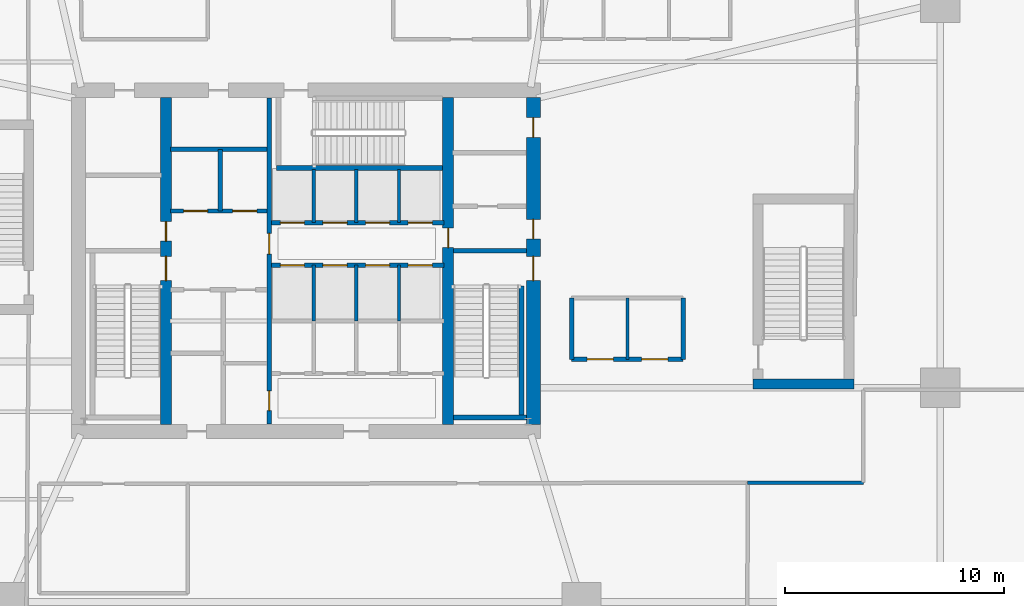
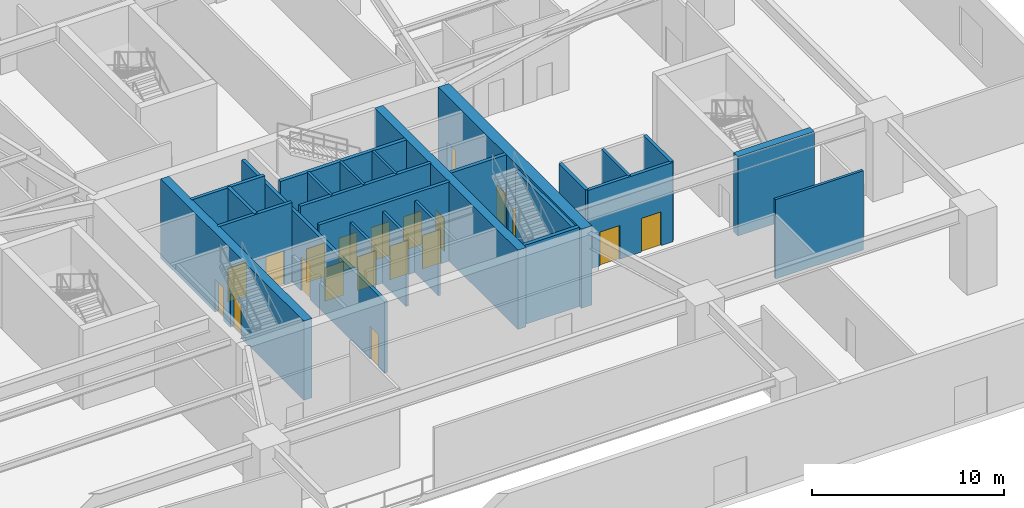
# One storey, part 6 of 13: 25 walls, 20 doors, 20 openings.
"""IFC4 building model written with IfcOpenShell, lengths in metres."""

from ifc_helpers import new_model, si_unit, direction, frame, frame_2d, origin, place, context, subcontext, project, spatial, rectangle, extrude, material, layer, layer_set, type_object, element, fill, save


model = new_model("IFC4")

# Units and contexts
model_context = context("Model", 3, precision=1e-05, world=origin(), true_north=direction((0.0, 1.0)))
body_context = subcontext(model_context, "Body", "Model", "MODEL_VIEW")
ifc_project = project(units=[si_unit("LENGTHUNIT", "METRE"), si_unit("AREAUNIT", "SQUARE_METRE"), si_unit("VOLUMEUNIT", "CUBIC_METRE"), si_unit("PLANEANGLEUNIT", "RADIAN"), si_unit("MASSUNIT", "GRAM", prefix="KILO")], contexts=[model_context])

# Site, building, storey
site_placement = place(None, origin())
site = spatial("IfcSite", under=ifc_project, at=site_placement, CompositionType="ELEMENT")
building_placement = place(site_placement, origin())
building = spatial("IfcBuilding", under=site, at=building_placement, Name="Qarnah Convention Tower", CompositionType="ELEMENT")
storey_placement = place(building_placement, origin())
storey = spatial("IfcBuildingStorey", under=building, at=storey_placement, Name="L00", CompositionType="ELEMENT", Elevation=0.0)

# Wall, openings, doors
ifc_material_1 = material(Name="Concrete C60/75", Category="concrete")
ifc_layer_1 = layer(ifc_material_1, 0.64990234375)
ifc_layer_set_1 = layer_set([ifc_layer_1], Name="Concrete C60/75")
wall_type_1 = type_object("IfcWallType", Name="WL-CORE-650", PredefinedType="SHEAR", material=ifc_layer_set_1)
wall_1_placement = place(storey_placement, frame((47.60009765625, 18.925048828125, 0.0), z_axis=(0.0, 0.0, 1.0), x_axis=(0.0, 1.0, 0.0)))
wall_1 = element("IfcWall", 1, at=wall_1_placement, inside=storey, type_object=wall_type_1, Name="L00 core east shear wall", PredefinedType="SHEAR", context=body_context, shape_type="SweptSolid", body=[
    extrude(rectangle(XDim=14.949951171875, YDim=0.64990234375, at=frame_2d((7.47509765625, 0.0))), origin(), (0.0, 0.0, 1.0), 5.050048828125),
])
opening_1_placement = place(wall_1_placement, frame((6.574951171875, 0.0, 0.0)))
opening_1 = element("IfcOpeningElement", 2, at=opening_1_placement, cuts=wall_1, Name="Opening D-0002", PredefinedType="OPENING", context=body_context, shape_type="SweptSolid", body=[
    extrude(rectangle(XDim=1.10009765625, YDim=2.14990234375, at=frame_2d((0.550048828125, 1.074951171875))), frame((0.0, 0.3349609375, 0.0), z_axis=(0.0, -1.0, 0.0), x_axis=(1.0, 0.0, 0.0)), (0.0, 0.0, 1.0), 0.669921875),
])
opening_2_placement = place(wall_1_placement, frame((8.47509765625, 0.0, 0.0)))
opening_2 = element("IfcOpeningElement", 3, at=opening_2_placement, cuts=wall_1, Name="Opening D-0006", PredefinedType="OPENING", context=body_context, shape_type="SweptSolid", body=[
    extrude(rectangle(XDim=0.89990234375, YDim=2.10009765625, at=frame_2d((0.449951171875, 1.050048828125))), frame((0.0, 0.3349609375, 0.0), z_axis=(0.0, -1.0, 0.0), x_axis=(1.0, 0.0, 0.0)), (0.0, 0.0, 1.0), 0.669921875),
])
opening_3_placement = place(wall_1_placement, frame((13.125, 0.0, 0.0)))
opening_3 = element("IfcOpeningElement", 4, at=opening_3_placement, cuts=wall_1, Name="Opening D-0012", PredefinedType="OPENING", context=body_context, shape_type="SweptSolid", body=[
    extrude(rectangle(XDim=0.89990234375, YDim=2.10009765625, at=frame_2d((0.449951171875, 1.050048828125))), frame((0.0, 0.3349609375, 0.0), z_axis=(0.0, -1.0, 0.0), x_axis=(1.0, 0.0, 0.0)), (0.0, 0.0, 1.0), 0.669921875),
])
ifc_material_2 = material(Name="Structural steel S355JR", Category="steel")
door_type_1 = type_object("IfcDoorType", Name="DT-RISER-900", OperationType="NOTDEFINED", PredefinedType="DOOR", material=ifc_material_2)
door_1_placement = place(opening_2_placement, origin())
door_1 = element("IfcDoor", 5, at=door_1_placement, inside=storey, type_object=door_type_1, Name="Door D-0006", OperationType="SINGLE_SWING_LEFT", OverallHeight=2.10009765625, OverallWidth=0.89990234375, PredefinedType="DOOR", context=body_context, shape_type="SweptSolid", body=[
    extrude(rectangle(XDim=0.89990234375, YDim=2.10009765625, at=frame_2d((0.449951171875, 1.050048828125))), frame((0.0, 0.02490234375, 0.0), z_axis=(0.0, -1.0, 0.0), x_axis=(1.0, 0.0, 0.0)), (0.0, 0.0, 1.0), 0.050048828125),
])
fill(opening_2, door_1)
door_2_placement = place(opening_3_placement, origin())
door_2 = element("IfcDoor", 6, at=door_2_placement, inside=storey, type_object=door_type_1, Name="Door D-0012", OperationType="SINGLE_SWING_LEFT", OverallHeight=2.10009765625, OverallWidth=0.89990234375, PredefinedType="DOOR", context=body_context, shape_type="SweptSolid", body=[
    extrude(rectangle(XDim=0.89990234375, YDim=2.10009765625, at=frame_2d((0.449951171875, 1.050048828125))), frame((0.0, 0.02490234375, 0.0), z_axis=(0.0, -1.0, 0.0), x_axis=(1.0, 0.0, 0.0)), (0.0, 0.0, 1.0), 0.050048828125),
])
fill(opening_3, door_2)
door_type_2 = type_object("IfcDoorType", Name="DT-STAIR-1100", OperationType="NOTDEFINED", PredefinedType="DOOR", material=ifc_material_2)
door_3_placement = place(opening_1_placement, origin())
door_3 = element("IfcDoor", 7, at=door_3_placement, inside=storey, type_object=door_type_2, Name="Door D-0002", OperationType="SINGLE_SWING_LEFT", OverallHeight=2.14990234375, OverallWidth=1.10009765625, PredefinedType="DOOR", context=body_context, shape_type="SweptSolid", body=[
    extrude(rectangle(XDim=1.10009765625, YDim=2.14990234375, at=frame_2d((0.550048828125, 1.074951171875))), frame((0.0, 0.02490234375, 0.0), z_axis=(0.0, -1.0, 0.0), x_axis=(1.0, 0.0, 0.0)), (0.0, 0.0, 1.0), 0.050048828125),
])
fill(opening_1, door_3)

ifc_layer_2 = layer(ifc_material_1, 0.5)
ifc_layer_set_2 = layer_set([ifc_layer_2], Name="Concrete C60/75")
wall_type_2 = type_object("IfcWallType", Name="WL-CORE-INT-400", PredefinedType="SHEAR", material=ifc_layer_set_2)
wall_2_placement = place(storey_placement, frame((30.800048828125, 18.925048828125, 0.0), z_axis=(0.0, 0.0, 1.0), x_axis=(0.0, 1.0, 0.0)))
wall_2 = element("IfcWall", 8, at=wall_2_placement, inside=storey, type_object=wall_type_2, Name="L00 core west spine shear wall", PredefinedType="SHEAR", context=body_context, shape_type="SweptSolid", body=[
    extrude(rectangle(XDim=14.949951171875, YDim=0.5, at=frame_2d((7.47509765625, 0.0))), origin(), (0.0, 0.0, 1.0), 5.050048828125),
])
opening_4_placement = place(wall_2_placement, frame((6.574951171875, 0.0, 0.0)))
opening_4 = element("IfcOpeningElement", 9, at=opening_4_placement, cuts=wall_2, Name="Opening D-0001", PredefinedType="OPENING", context=body_context, shape_type="SweptSolid", body=[
    extrude(rectangle(XDim=1.10009765625, YDim=2.14990234375, at=frame_2d((0.550048828125, 1.074951171875))), frame((0.0, 0.260009765625, 0.0), z_axis=(0.0, -1.0, 0.0), x_axis=(1.0, 0.0, 0.0)), (0.0, 0.0, 1.0), 0.52001953125),
])
opening_5_placement = place(wall_2_placement, frame((8.375, 0.0, 0.0)))
opening_5 = element("IfcOpeningElement", 10, at=opening_5_placement, cuts=wall_2, Name="Opening D-0008", PredefinedType="OPENING", context=body_context, shape_type="SweptSolid", body=[
    extrude(rectangle(XDim=0.89990234375, YDim=2.10009765625, at=frame_2d((0.449951171875, 1.050048828125))), frame((0.0, 0.260009765625, 0.0), z_axis=(0.0, -1.0, 0.0), x_axis=(1.0, 0.0, 0.0)), (0.0, 0.0, 1.0), 0.52001953125),
])
door_4_placement = place(opening_5_placement, origin())
door_4 = element("IfcDoor", 11, at=door_4_placement, inside=storey, type_object=door_type_1, Name="Door D-0008", OperationType="SINGLE_SWING_LEFT", OverallHeight=2.10009765625, OverallWidth=0.89990234375, PredefinedType="DOOR", context=body_context, shape_type="SweptSolid", body=[
    extrude(rectangle(XDim=0.89990234375, YDim=2.10009765625, at=frame_2d((0.449951171875, 1.050048828125))), frame((0.0, 0.02490234375, 0.0), z_axis=(0.0, -1.0, 0.0), x_axis=(1.0, 0.0, 0.0)), (0.0, 0.0, 1.0), 0.050048828125),
])
fill(opening_5, door_4)
door_5_placement = place(opening_4_placement, origin())
door_5 = element("IfcDoor", 12, at=door_5_placement, inside=storey, type_object=door_type_2, Name="Door D-0001", OperationType="SINGLE_SWING_RIGHT", OverallHeight=2.14990234375, OverallWidth=1.10009765625, PredefinedType="DOOR", context=body_context, shape_type="SweptSolid", body=[
    extrude(rectangle(XDim=1.10009765625, YDim=2.14990234375, at=frame_2d((0.550048828125, 1.074951171875))), frame((0.0, 0.02490234375, 0.0), z_axis=(0.0, -1.0, 0.0), x_axis=(1.0, 0.0, 0.0)), (0.0, 0.0, 1.0), 0.050048828125),
])
fill(opening_4, door_5)

# Wall, opening, door
wall_3_placement = place(storey_placement, frame((43.699951171875, 18.925048828125, 0.0), z_axis=(0.0, 0.0, 1.0), x_axis=(0.0, 1.0, 0.0)))
wall_3 = element("IfcWall", 13, at=wall_3_placement, inside=storey, type_object=wall_type_2, Name="L00 core east spine shear wall", PredefinedType="SHEAR", context=body_context, shape_type="SweptSolid", body=[
    extrude(rectangle(XDim=14.949951171875, YDim=0.5, at=frame_2d((7.47509765625, 0.0))), origin(), (0.0, 0.0, 1.0), 5.050048828125),
])
opening_6_placement = place(wall_3_placement, frame((8.074951171875, 0.0, 0.0)))
opening_6 = element("IfcOpeningElement", 14, at=opening_6_placement, cuts=wall_3, Name="Opening D-0005", PredefinedType="OPENING", context=body_context, shape_type="SweptSolid", body=[
    extrude(rectangle(XDim=0.89990234375, YDim=2.10009765625, at=frame_2d((0.449951171875, 1.050048828125))), frame((0.0, 0.260009765625, 0.0), z_axis=(0.0, -1.0, 0.0), x_axis=(1.0, 0.0, 0.0)), (0.0, 0.0, 1.0), 0.52001953125),
])
door_6_placement = place(opening_6_placement, origin())
door_6 = element("IfcDoor", 15, at=door_6_placement, inside=storey, type_object=door_type_1, Name="Door D-0005", OperationType="SINGLE_SWING_RIGHT", OverallHeight=2.10009765625, OverallWidth=0.89990234375, PredefinedType="DOOR", context=body_context, shape_type="SweptSolid", body=[
    extrude(rectangle(XDim=0.89990234375, YDim=2.10009765625, at=frame_2d((0.449951171875, 1.050048828125))), frame((0.0, 0.02490234375, 0.0), z_axis=(0.0, -1.0, 0.0), x_axis=(1.0, 0.0, 0.0)), (0.0, 0.0, 1.0), 0.050048828125),
])
fill(opening_6, door_6)

# Wall, openings, doors
ifc_material_3 = material(Name="Concrete C45/55", Category="concrete")
ifc_layer_3 = layer(ifc_material_3, 0.199951171875)
ifc_layer_set_3 = layer_set([ifc_layer_3], Name="Concrete C45/55")
wall_type_3 = type_object("IfcWallType", Name="WL-CORE-PART-200", PredefinedType="SOLIDWALL", material=ifc_layer_set_3)
wall_4_placement = place(storey_placement, frame((35.52001953125, 18.949951171875, 0.0), z_axis=(0.0, 0.0, 1.0), x_axis=(0.0, 1.0, 0.0)))
wall_4 = element("IfcWall", 16, at=wall_4_placement, inside=storey, type_object=wall_type_3, Name="L00 interior wall IW-L00-CSP", PredefinedType="SOLIDWALL", context=body_context, shape_type="SweptSolid", body=[
    extrude(rectangle(XDim=14.900146484375, YDim=0.199951171875, at=frame_2d((7.4501953125, 0.0))), origin(), (0.0, 0.0, 1.0), 4.571044921875),
])
opening_7_placement = place(wall_4_placement, frame((7.7548828125, 0.0, 0.0)))
opening_7 = element("IfcOpeningElement", 17, at=opening_7_placement, cuts=wall_4, Name="Opening D-0004", PredefinedType="OPENING", context=body_context, shape_type="SweptSolid", body=[
    extrude(rectangle(XDim=0.949951171875, YDim=2.14990234375, at=frame_2d((0.47509765625, 1.074951171875))), frame((0.0, 0.10986328125, 0.0), z_axis=(0.0, -1.0, 0.0), x_axis=(1.0, 0.0, 0.0)), (0.0, 0.0, 1.0), 0.219970703125),
])
opening_8_placement = place(wall_4_placement, frame((0.60009765625, 0.0, 0.0)))
opening_8 = element("IfcOpeningElement", 18, at=opening_8_placement, cuts=wall_4, Name="Opening D-0014", PredefinedType="OPENING", context=body_context, shape_type="SweptSolid", body=[
    extrude(rectangle(XDim=0.89990234375, YDim=2.10009765625, at=frame_2d((0.449951171875, 1.050048828125))), frame((0.0, 0.10986328125, 0.0), z_axis=(0.0, -1.0, 0.0), x_axis=(1.0, 0.0, 0.0)), (0.0, 0.0, 1.0), 0.219970703125),
])
ifc_material_4 = material(Name="Oak timber veneer", Category="wood")
door_type_3 = type_object("IfcDoorType", Name="DT-HOTEL-950", OperationType="NOTDEFINED", PredefinedType="DOOR", material=ifc_material_4)
door_7_placement = place(opening_7_placement, origin())
door_7 = element("IfcDoor", 19, at=door_7_placement, inside=storey, type_object=door_type_3, Name="Door D-0004", OperationType="SINGLE_SWING_LEFT", OverallHeight=2.14990234375, OverallWidth=0.949951171875, PredefinedType="DOOR", context=body_context, shape_type="SweptSolid", body=[
    extrude(rectangle(XDim=0.949951171875, YDim=2.14990234375, at=frame_2d((0.47509765625, 1.074951171875))), frame((0.0, 0.02490234375, 0.0), z_axis=(0.0, -1.0, 0.0), x_axis=(1.0, 0.0, 0.0)), (0.0, 0.0, 1.0), 0.050048828125),
])
fill(opening_7, door_7)
door_8_placement = place(opening_8_placement, origin())
door_8 = element("IfcDoor", 20, at=door_8_placement, inside=storey, type_object=door_type_1, Name="Door D-0014", OperationType="SINGLE_SWING_LEFT", OverallHeight=2.10009765625, OverallWidth=0.89990234375, PredefinedType="DOOR", context=body_context, shape_type="SweptSolid", body=[
    extrude(rectangle(XDim=0.89990234375, YDim=2.10009765625, at=frame_2d((0.449951171875, 1.050048828125))), frame((0.0, 0.02490234375, 0.0), z_axis=(0.0, -1.0, 0.0), x_axis=(1.0, 0.0, 0.0)), (0.0, 0.0, 1.0), 0.050048828125),
])
fill(opening_8, door_8)

wall_5_placement = place(storey_placement, frame((31.0, 28.679931640625, 0.0), z_axis=(0.0, 0.0, 1.0), x_axis=(1.0, 0.0, 0.0)))
wall_5 = element("IfcWall", 21, at=wall_5_placement, inside=storey, type_object=wall_type_3, Name="L00 interior wall IW-L00-FFLS", PredefinedType="SOLIDWALL", context=body_context, shape_type="SweptSolid", body=[
    extrude(rectangle(XDim=4.419921875, YDim=0.199951171875, at=frame_2d((2.2099609375, 0.0))), origin(), (0.0, 0.0, 1.0), 5.050048828125),
])
opening_9_placement = place(wall_5_placement, frame((0.60009765625, 0.0, 0.0)))
opening_9 = element("IfcOpeningElement", 22, at=opening_9_placement, cuts=wall_5, Name="Opening LD-0001", PredefinedType="OPENING", context=body_context, shape_type="SweptSolid", body=[
    extrude(rectangle(XDim=1.10009765625, YDim=2.14990234375, at=frame_2d((0.550048828125, 1.074951171875))), frame((0.0, 0.10986328125, 0.0), z_axis=(0.0, -1.0, 0.0), x_axis=(1.0, 0.0, 0.0)), (0.0, 0.0, 1.0), 0.219970703125),
])
opening_10_placement = place(wall_5_placement, frame((2.85009765625, 0.0, 0.0)))
opening_10 = element("IfcOpeningElement", 23, at=opening_10_placement, cuts=wall_5, Name="Opening LD-0002", PredefinedType="OPENING", context=body_context, shape_type="SweptSolid", body=[
    extrude(rectangle(XDim=1.10009765625, YDim=2.14990234375, at=frame_2d((0.550048828125, 1.074951171875))), frame((0.0, 0.10986328125, 0.0), z_axis=(0.0, -1.0, 0.0), x_axis=(1.0, 0.0, 0.0)), (0.0, 0.0, 1.0), 0.219970703125),
])
door_type_4 = type_object("IfcDoorType", Name="DT-LIFT-1100", OperationType="SLIDING_TO_LEFT", PredefinedType="DOOR", material=ifc_material_2)
door_9_placement = place(opening_9_placement, origin())
door_9 = element("IfcDoor", 24, at=door_9_placement, inside=storey, type_object=door_type_4, Name="Door LD-0001", OperationType="SLIDING_TO_LEFT", OverallHeight=2.14990234375, OverallWidth=1.10009765625, PredefinedType="DOOR", context=body_context, shape_type="SweptSolid", body=[
    extrude(rectangle(XDim=1.10009765625, YDim=2.14990234375, at=frame_2d((0.550048828125, 1.074951171875))), frame((0.0, 0.02490234375, 0.0), z_axis=(0.0, -1.0, 0.0), x_axis=(1.0, 0.0, 0.0)), (0.0, 0.0, 1.0), 0.050048828125),
])
fill(opening_9, door_9)
door_10_placement = place(opening_10_placement, origin())
door_10 = element("IfcDoor", 25, at=door_10_placement, inside=storey, type_object=door_type_4, Name="Door LD-0002", OperationType="SLIDING_TO_LEFT", OverallHeight=2.14990234375, OverallWidth=1.10009765625, PredefinedType="DOOR", context=body_context, shape_type="SweptSolid", body=[
    extrude(rectangle(XDim=1.10009765625, YDim=2.14990234375, at=frame_2d((0.550048828125, 1.074951171875))), frame((0.0, 0.02490234375, 0.0), z_axis=(0.0, -1.0, 0.0), x_axis=(1.0, 0.0, 0.0)), (0.0, 0.0, 1.0), 0.050048828125),
])
fill(opening_10, door_10)

# Walls
wall_6_placement = place(storey_placement, frame((31.0, 31.5, 0.0), z_axis=(0.0, 0.0, 1.0), x_axis=(1.0, 0.0, 0.0)))
element("IfcWall", 26, at=wall_6_placement, inside=storey, type_object=wall_type_3, Name="L00 interior wall IW-L00-FFLN", PredefinedType="SOLIDWALL", context=body_context, shape_type="SweptSolid", body=[
    extrude(rectangle(XDim=4.419921875, YDim=0.199951171875, at=frame_2d((2.2099609375, 0.0))), origin(), (0.0, 0.0, 1.0), 5.050048828125),
])
wall_7_placement = place(storey_placement, frame((33.280029296875, 28.679931640625, 0.0), z_axis=(0.0, 0.0, 1.0), x_axis=(0.0, 1.0, 0.0)))
element("IfcWall", 27, at=wall_7_placement, inside=storey, type_object=wall_type_3, Name="L00 interior wall IW-L00-FFLM", PredefinedType="SOLIDWALL", context=body_context, shape_type="SweptSolid", body=[
    extrude(rectangle(XDim=2.820068359375, YDim=0.199951171875, at=frame_2d((1.41015625, 0.0))), origin(), (0.0, 0.0, 1.0), 5.050048828125),
])

# Wall, openings, doors
wall_8_placement = place(storey_placement, frame((35.6201171875, 28.14990234375, 0.0), z_axis=(0.0, 0.0, 1.0), x_axis=(1.0, 0.0, 0.0)))
wall_8 = element("IfcWall", 28, at=wall_8_placement, inside=storey, type_object=wall_type_3, Name="L00 interior wall IW-L00-PHS", PredefinedType="SOLIDWALL", context=body_context, shape_type="SweptSolid", body=[
    extrude(rectangle(XDim=7.8798828125, YDim=0.199951171875, at=frame_2d((3.93994140625, 0.0))), origin(), (0.0, 0.0, 1.0), 5.050048828125),
])
opening_11_placement = place(wall_8_placement, frame((0.405029296875, 0.0, 0.0)))
opening_11 = element("IfcOpeningElement", 29, at=opening_11_placement, cuts=wall_8, Name="Opening LD-0006", PredefinedType="OPENING", context=body_context, shape_type="SweptSolid", body=[
    extrude(rectangle(XDim=1.10009765625, YDim=2.14990234375, at=frame_2d((0.550048828125, 1.074951171875))), frame((0.0, 0.10986328125, 0.0), z_axis=(0.0, -1.0, 0.0), x_axis=(1.0, 0.0, 0.0)), (0.0, 0.0, 1.0), 0.219970703125),
])
opening_12_placement = place(wall_8_placement, frame((2.35498046875, 0.0, 0.0)))
opening_12 = element("IfcOpeningElement", 30, at=opening_12_placement, cuts=wall_8, Name="Opening LD-0009", PredefinedType="OPENING", context=body_context, shape_type="SweptSolid", body=[
    extrude(rectangle(XDim=1.10009765625, YDim=2.14990234375, at=frame_2d((0.550048828125, 1.074951171875))), frame((0.0, 0.10986328125, 0.0), z_axis=(0.0, -1.0, 0.0), x_axis=(1.0, 0.0, 0.0)), (0.0, 0.0, 1.0), 0.219970703125),
])
opening_13_placement = place(wall_8_placement, frame((4.304931640625, 0.0, 0.0)))
opening_13 = element("IfcOpeningElement", 31, at=opening_13_placement, cuts=wall_8, Name="Opening LD-0012", PredefinedType="OPENING", context=body_context, shape_type="SweptSolid", body=[
    extrude(rectangle(XDim=1.10009765625, YDim=2.14990234375, at=frame_2d((0.550048828125, 1.074951171875))), frame((0.0, 0.10986328125, 0.0), z_axis=(0.0, -1.0, 0.0), x_axis=(1.0, 0.0, 0.0)), (0.0, 0.0, 1.0), 0.219970703125),
])
opening_14_placement = place(wall_8_placement, frame((6.2548828125, 0.0, 0.0)))
opening_14 = element("IfcOpeningElement", 32, at=opening_14_placement, cuts=wall_8, Name="Opening LD-0015", PredefinedType="OPENING", context=body_context, shape_type="SweptSolid", body=[
    extrude(rectangle(XDim=1.10009765625, YDim=2.14990234375, at=frame_2d((0.550048828125, 1.074951171875))), frame((0.0, 0.10986328125, 0.0), z_axis=(0.0, -1.0, 0.0), x_axis=(1.0, 0.0, 0.0)), (0.0, 0.0, 1.0), 0.219970703125),
])
door_11_placement = place(opening_11_placement, origin())
door_11 = element("IfcDoor", 33, at=door_11_placement, inside=storey, type_object=door_type_4, Name="Door LD-0006", OperationType="SLIDING_TO_LEFT", OverallHeight=2.14990234375, OverallWidth=1.10009765625, PredefinedType="DOOR", context=body_context, shape_type="SweptSolid", body=[
    extrude(rectangle(XDim=1.10009765625, YDim=2.14990234375, at=frame_2d((0.550048828125, 1.074951171875))), frame((0.0, 0.02490234375, 0.0), z_axis=(0.0, -1.0, 0.0), x_axis=(1.0, 0.0, 0.0)), (0.0, 0.0, 1.0), 0.050048828125),
])
fill(opening_11, door_11)
door_12_placement = place(opening_12_placement, origin())
door_12 = element("IfcDoor", 34, at=door_12_placement, inside=storey, type_object=door_type_4, Name="Door LD-0009", OperationType="SLIDING_TO_LEFT", OverallHeight=2.14990234375, OverallWidth=1.10009765625, PredefinedType="DOOR", context=body_context, shape_type="SweptSolid", body=[
    extrude(rectangle(XDim=1.10009765625, YDim=2.14990234375, at=frame_2d((0.550048828125, 1.074951171875))), frame((0.0, 0.02490234375, 0.0), z_axis=(0.0, -1.0, 0.0), x_axis=(1.0, 0.0, 0.0)), (0.0, 0.0, 1.0), 0.050048828125),
])
fill(opening_12, door_12)
door_13_placement = place(opening_13_placement, origin())
door_13 = element("IfcDoor", 35, at=door_13_placement, inside=storey, type_object=door_type_4, Name="Door LD-0012", OperationType="SLIDING_TO_LEFT", OverallHeight=2.14990234375, OverallWidth=1.10009765625, PredefinedType="DOOR", context=body_context, shape_type="SweptSolid", body=[
    extrude(rectangle(XDim=1.10009765625, YDim=2.14990234375, at=frame_2d((0.550048828125, 1.074951171875))), frame((0.0, 0.02490234375, 0.0), z_axis=(0.0, -1.0, 0.0), x_axis=(1.0, 0.0, 0.0)), (0.0, 0.0, 1.0), 0.050048828125),
])
fill(opening_13, door_13)
door_14_placement = place(opening_14_placement, origin())
door_14 = element("IfcDoor", 36, at=door_14_placement, inside=storey, type_object=door_type_4, Name="Door LD-0015", OperationType="SLIDING_TO_LEFT", OverallHeight=2.14990234375, OverallWidth=1.10009765625, PredefinedType="DOOR", context=body_context, shape_type="SweptSolid", body=[
    extrude(rectangle(XDim=1.10009765625, YDim=2.14990234375, at=frame_2d((0.550048828125, 1.074951171875))), frame((0.0, 0.02490234375, 0.0), z_axis=(0.0, -1.0, 0.0), x_axis=(1.0, 0.0, 0.0)), (0.0, 0.0, 1.0), 0.050048828125),
])
fill(opening_14, door_14)

wall_9_placement = place(storey_placement, frame((35.6201171875, 26.199951171875, 0.0), z_axis=(0.0, 0.0, 1.0), x_axis=(1.0, 0.0, 0.0)))
wall_9 = element("IfcWall", 37, at=wall_9_placement, inside=storey, type_object=wall_type_3, Name="L00 interior wall IW-L00-PMN", PredefinedType="SOLIDWALL", context=body_context, shape_type="SweptSolid", body=[
    extrude(rectangle(XDim=7.8798828125, YDim=0.199951171875, at=frame_2d((3.93994140625, 0.0))), origin(), (0.0, 0.0, 1.0), 5.050048828125),
])
opening_15_placement = place(wall_9_placement, frame((0.405029296875, 0.0, 0.0)))
opening_15 = element("IfcOpeningElement", 38, at=opening_15_placement, cuts=wall_9, Name="Opening LD-0005", PredefinedType="OPENING", context=body_context, shape_type="SweptSolid", body=[
    extrude(rectangle(XDim=1.10009765625, YDim=2.14990234375, at=frame_2d((0.550048828125, 1.074951171875))), frame((0.0, 0.10986328125, 0.0), z_axis=(0.0, -1.0, 0.0), x_axis=(1.0, 0.0, 0.0)), (0.0, 0.0, 1.0), 0.219970703125),
])
opening_16_placement = place(wall_9_placement, frame((2.35498046875, 0.0, 0.0)))
opening_16 = element("IfcOpeningElement", 39, at=opening_16_placement, cuts=wall_9, Name="Opening LD-0008", PredefinedType="OPENING", context=body_context, shape_type="SweptSolid", body=[
    extrude(rectangle(XDim=1.10009765625, YDim=2.14990234375, at=frame_2d((0.550048828125, 1.074951171875))), frame((0.0, 0.10986328125, 0.0), z_axis=(0.0, -1.0, 0.0), x_axis=(1.0, 0.0, 0.0)), (0.0, 0.0, 1.0), 0.219970703125),
])
opening_17_placement = place(wall_9_placement, frame((4.304931640625, 0.0, 0.0)))
opening_17 = element("IfcOpeningElement", 40, at=opening_17_placement, cuts=wall_9, Name="Opening LD-0011", PredefinedType="OPENING", context=body_context, shape_type="SweptSolid", body=[
    extrude(rectangle(XDim=1.10009765625, YDim=2.14990234375, at=frame_2d((0.550048828125, 1.074951171875))), frame((0.0, 0.10986328125, 0.0), z_axis=(0.0, -1.0, 0.0), x_axis=(1.0, 0.0, 0.0)), (0.0, 0.0, 1.0), 0.219970703125),
])
opening_18_placement = place(wall_9_placement, frame((6.2548828125, 0.0, 0.0)))
opening_18 = element("IfcOpeningElement", 41, at=opening_18_placement, cuts=wall_9, Name="Opening LD-0014", PredefinedType="OPENING", context=body_context, shape_type="SweptSolid", body=[
    extrude(rectangle(XDim=1.10009765625, YDim=2.14990234375, at=frame_2d((0.550048828125, 1.074951171875))), frame((0.0, 0.10986328125, 0.0), z_axis=(0.0, -1.0, 0.0), x_axis=(1.0, 0.0, 0.0)), (0.0, 0.0, 1.0), 0.219970703125),
])
door_15_placement = place(opening_15_placement, origin())
door_15 = element("IfcDoor", 42, at=door_15_placement, inside=storey, type_object=door_type_4, Name="Door LD-0005", OperationType="SLIDING_TO_LEFT", OverallHeight=2.14990234375, OverallWidth=1.10009765625, PredefinedType="DOOR", context=body_context, shape_type="SweptSolid", body=[
    extrude(rectangle(XDim=1.10009765625, YDim=2.14990234375, at=frame_2d((0.550048828125, 1.074951171875))), frame((0.0, 0.02490234375, 0.0), z_axis=(0.0, -1.0, 0.0), x_axis=(1.0, 0.0, 0.0)), (0.0, 0.0, 1.0), 0.050048828125),
])
fill(opening_15, door_15)
door_16_placement = place(opening_16_placement, origin())
door_16 = element("IfcDoor", 43, at=door_16_placement, inside=storey, type_object=door_type_4, Name="Door LD-0008", OperationType="SLIDING_TO_LEFT", OverallHeight=2.14990234375, OverallWidth=1.10009765625, PredefinedType="DOOR", context=body_context, shape_type="SweptSolid", body=[
    extrude(rectangle(XDim=1.10009765625, YDim=2.14990234375, at=frame_2d((0.550048828125, 1.074951171875))), frame((0.0, 0.02490234375, 0.0), z_axis=(0.0, -1.0, 0.0), x_axis=(1.0, 0.0, 0.0)), (0.0, 0.0, 1.0), 0.050048828125),
])
fill(opening_16, door_16)
door_17_placement = place(opening_17_placement, origin())
door_17 = element("IfcDoor", 44, at=door_17_placement, inside=storey, type_object=door_type_4, Name="Door LD-0011", OperationType="SLIDING_TO_LEFT", OverallHeight=2.14990234375, OverallWidth=1.10009765625, PredefinedType="DOOR", context=body_context, shape_type="SweptSolid", body=[
    extrude(rectangle(XDim=1.10009765625, YDim=2.14990234375, at=frame_2d((0.550048828125, 1.074951171875))), frame((0.0, 0.02490234375, 0.0), z_axis=(0.0, -1.0, 0.0), x_axis=(1.0, 0.0, 0.0)), (0.0, 0.0, 1.0), 0.050048828125),
])
fill(opening_17, door_17)
door_18_placement = place(opening_18_placement, origin())
door_18 = element("IfcDoor", 45, at=door_18_placement, inside=storey, type_object=door_type_4, Name="Door LD-0014", OperationType="SLIDING_TO_LEFT", OverallHeight=2.14990234375, OverallWidth=1.10009765625, PredefinedType="DOOR", context=body_context, shape_type="SweptSolid", body=[
    extrude(rectangle(XDim=1.10009765625, YDim=2.14990234375, at=frame_2d((0.550048828125, 1.074951171875))), frame((0.0, 0.02490234375, 0.0), z_axis=(0.0, -1.0, 0.0), x_axis=(1.0, 0.0, 0.0)), (0.0, 0.0, 1.0), 0.050048828125),
])
fill(opening_18, door_18)

wall_10_placement = place(storey_placement, frame((49.35009765625, 21.89990234375, 0.0), z_axis=(0.0, 0.0, 1.0), x_axis=(1.0, 0.0, 0.0)))
wall_10 = element("IfcWall", 46, at=wall_10_placement, inside=storey, type_object=wall_type_3, Name="L00 interior wall IW-L00-PSS", PredefinedType="SOLIDWALL", context=body_context, shape_type="SweptSolid", body=[
    extrude(rectangle(XDim=5.099853515625, YDim=0.199951171875, at=frame_2d((2.5498046875, 0.0))), origin(), (0.0, 0.0, 1.0), 5.050048828125),
])
opening_19_placement = place(wall_10_placement, frame((0.699951171875, 0.0, 0.0)))
opening_19 = element("IfcOpeningElement", 47, at=opening_19_placement, cuts=wall_10, Name="Opening LD-0016", PredefinedType="OPENING", context=body_context, shape_type="SweptSolid", body=[
    extrude(rectangle(XDim=1.199951171875, YDim=2.14990234375, at=frame_2d((0.60009765625, 1.074951171875))), frame((0.0, 0.10986328125, 0.0), z_axis=(0.0, -1.0, 0.0), x_axis=(1.0, 0.0, 0.0)), (0.0, 0.0, 1.0), 0.219970703125),
])
opening_20_placement = place(wall_10_placement, frame((3.199951171875, 0.0, 0.0)))
opening_20 = element("IfcOpeningElement", 48, at=opening_20_placement, cuts=wall_10, Name="Opening LD-0017", PredefinedType="OPENING", context=body_context, shape_type="SweptSolid", body=[
    extrude(rectangle(XDim=1.199951171875, YDim=2.14990234375, at=frame_2d((0.60009765625, 1.074951171875))), frame((0.0, 0.10986328125, 0.0), z_axis=(0.0, -1.0, 0.0), x_axis=(1.0, 0.0, 0.0)), (0.0, 0.0, 1.0), 0.219970703125),
])
door_type_5 = type_object("IfcDoorType", Name="DT-LIFT-1200", OperationType="SLIDING_TO_LEFT", PredefinedType="DOOR", material=ifc_material_2)
door_19_placement = place(opening_19_placement, origin())
door_19 = element("IfcDoor", 49, at=door_19_placement, inside=storey, type_object=door_type_5, Name="Door LD-0016", OperationType="SLIDING_TO_LEFT", OverallHeight=2.14990234375, OverallWidth=1.199951171875, PredefinedType="DOOR", context=body_context, shape_type="SweptSolid", body=[
    extrude(rectangle(XDim=1.199951171875, YDim=2.14990234375, at=frame_2d((0.60009765625, 1.074951171875))), frame((0.0, 0.02490234375, 0.0), z_axis=(0.0, -1.0, 0.0), x_axis=(1.0, 0.0, 0.0)), (0.0, 0.0, 1.0), 0.050048828125),
])
fill(opening_19, door_19)
door_20_placement = place(opening_20_placement, origin())
door_20 = element("IfcDoor", 50, at=door_20_placement, inside=storey, type_object=door_type_5, Name="Door LD-0017", OperationType="SLIDING_TO_LEFT", OverallHeight=2.14990234375, OverallWidth=1.199951171875, PredefinedType="DOOR", context=body_context, shape_type="SweptSolid", body=[
    extrude(rectangle(XDim=1.199951171875, YDim=2.14990234375, at=frame_2d((0.60009765625, 1.074951171875))), frame((0.0, 0.02490234375, 0.0), z_axis=(0.0, -1.0, 0.0), x_axis=(1.0, 0.0, 0.0)), (0.0, 0.0, 1.0), 0.050048828125),
])
fill(opening_20, door_20)

# Walls
for number, where, z_axis, x_axis, name in (
    (51, (49.35009765625, 21.89990234375, 0.0), (0.0, 0.0, 1.0), (0.0, 1.0, 0.0), "L00 interior wall IW-L00-PSW"),
    (52, (54.449951171875, 21.89990234375, 0.0), (0.0, 0.0, 1.0), (0.0, 1.0, 0.0), "L00 interior wall IW-L00-PSE"),
):
    element("IfcWall", number, at=place(storey_placement, frame(where, z_axis=z_axis, x_axis=x_axis)), inside=storey, type_object=wall_type_3, Name=name, PredefinedType="SOLIDWALL", context=body_context, shape_type="SweptSolid", body=[
        extrude(rectangle(XDim=2.800048828125, YDim=0.199951171875, at=frame_2d((1.39990234375, 0.0))), origin(), (0.0, 0.0, 1.0), 5.050048828125),
    ])
ifc_layer_4 = layer(ifc_material_1, 0.219970703125)
ifc_layer_set_4 = layer_set([ifc_layer_4], Name="Concrete C60/75")
wall_type_4 = type_object("IfcWallType", Name="WL-CORE-STAIR-220", PredefinedType="SHEAR", material=ifc_layer_set_4)
wall_11_placement = place(storey_placement, frame((43.949951171875, 26.860107421875, 0.0), z_axis=(0.0, 0.0, 1.0), x_axis=(1.0, 0.0, 0.0)))
element("IfcWall", 53, at=wall_11_placement, inside=storey, type_object=wall_type_4, Name="L00 stair shaft shear wall SW-L00-ST2N", PredefinedType="SHEAR", context=body_context, shape_type="SweptSolid", body=[
    extrude(rectangle(XDim=3.324951171875, YDim=0.219970703125, at=frame_2d((1.66259765625, 0.0))), origin(), (0.0, 0.0, 1.0), 5.050048828125),
])
wall_12_placement = place(storey_placement, frame((47.06005859375, 19.35009765625, 0.0), z_axis=(0.0, 0.0, 1.0), x_axis=(0.0, 1.0, 0.0)))
element("IfcWall", 54, at=wall_12_placement, inside=storey, type_object=wall_type_4, Name="L00 stair shaft shear wall SW-L00-ST2E", PredefinedType="SHEAR", context=body_context, shape_type="SweptSolid", body=[
    extrude(rectangle(XDim=5.89990234375, YDim=0.219970703125, at=frame_2d((2.949951171875, 0.0))), origin(), (0.0, 0.0, 1.0), 5.050048828125),
])
wall_13_placement = place(storey_placement, frame((43.949951171875, 19.239990234375, 0.0), z_axis=(0.0, 0.0, 1.0), x_axis=(1.0, 0.0, 0.0)))
element("IfcWall", 55, at=wall_13_placement, inside=storey, type_object=wall_type_4, Name="L00 stair shaft shear wall SW-L00-ST2S", PredefinedType="SHEAR", context=body_context, shape_type="SweptSolid", body=[
    extrude(rectangle(XDim=3.324951171875, YDim=0.219970703125, at=frame_2d((1.66259765625, 0.0))), origin(), (0.0, 0.0, 1.0), 5.050048828125),
])
wall_14_placement = place(storey_placement, frame((35.840087890625, 30.639892578125, 0.0), z_axis=(0.0, 0.0, 1.0), x_axis=(1.0, 0.0, 0.0)))
element("IfcWall", 56, at=wall_14_placement, inside=storey, type_object=wall_type_4, Name="L00 stair shaft shear wall SW-L00-ST3S", PredefinedType="SHEAR", context=body_context, shape_type="SweptSolid", body=[
    extrude(rectangle(XDim=7.60986328125, YDim=0.219970703125, at=frame_2d((3.804931640625, 0.0))), origin(), (0.0, 0.0, 1.0), 5.050048828125),
])
ifc_material_5 = material(Name="Gypsum partition board")
ifc_layer_5 = layer(ifc_material_5, 0.159912109375)
ifc_layer_set_5 = layer_set([ifc_layer_5], Name="Gypsum partition board")
wall_type_5 = type_object("IfcWallType", Name="WL-CORR-160", PredefinedType="PARTITIONING", material=ifc_layer_set_5)
wall_15_placement = place(storey_placement, frame((62.68994140625, 16.260009765625, 0.0), z_axis=(0.0, 0.0, 1.0), x_axis=(-1.0, 0.0, 0.0)))
element("IfcWall", 57, at=wall_15_placement, inside=storey, type_object=wall_type_5, Name="L00 interior wall IW-L00-R-24", PredefinedType="PARTITIONING", context=body_context, shape_type="SweptSolid", body=[
    extrude(rectangle(XDim=5.2900390625, YDim=0.159912109375, at=frame_2d((2.64501953125, 0.0))), origin(), (0.0, 0.0, 1.0), 5.050048828125),
])
ifc_layer_6 = layer(ifc_material_1, 0.449951171875)
ifc_layer_set_6 = layer_set([ifc_layer_6], Name="Concrete C60/75")
wall_type_6 = type_object("IfcWallType", Name="WL-POD-CORE-450", PredefinedType="SHEAR", material=ifc_layer_set_6)
wall_16_placement = place(storey_placement, frame((57.64990234375, 20.77490234375, 0.0), z_axis=(0.0, 0.0, 1.0), x_axis=(1.0, 0.0, 0.0)))
element("IfcWall", 58, at=wall_16_placement, inside=storey, type_object=wall_type_6, Name="L00 podium stair ST-4 south wall", PredefinedType="SHEAR", context=body_context, shape_type="SweptSolid", body=[
    extrude(rectangle(XDim=4.60009765625, YDim=0.449951171875, at=frame_2d((2.300048828125, 0.0))), origin(), (0.0, 0.0, 1.0), 5.050048828125),
])
ifc_layer_7 = layer(ifc_material_5, 0.14990234375)
ifc_layer_set_7 = layer_set([ifc_layer_7], Name="Gypsum partition board")
wall_type_7 = type_object("IfcWallType", Name="WL-SUITE-150", PredefinedType="PARTITIONING", material=ifc_layer_set_7)
for number, where, z_axis, x_axis, name in (
    (59, (37.550048828125, 28.14990234375, 0.0), (0.0, 0.0, 1.0), (0.0, 1.0, 0.0), "L00 interior wall IW-L00-PHD1"),
    (60, (39.5, 28.14990234375, 0.0), (0.0, 0.0, 1.0), (0.0, 1.0, 0.0), "L00 interior wall IW-L00-PHD2"),
    (61, (41.449951171875, 28.14990234375, 0.0), (0.0, 0.0, 1.0), (0.0, 1.0, 0.0), "L00 interior wall IW-L00-PHD3"),
):
    element("IfcWall", number, at=place(storey_placement, frame(where, z_axis=z_axis, x_axis=x_axis)), inside=storey, type_object=wall_type_7, Name=name, PredefinedType="PARTITIONING", context=body_context, shape_type="SweptSolid", body=[
        extrude(rectangle(XDim=2.43017578125, YDim=0.14990234375, at=frame_2d((1.215087890625, 0.0))), origin(), (0.0, 0.0, 1.0), 5.050048828125),
    ])
for number, where, z_axis, x_axis, name in (
    (62, (37.550048828125, 23.64990234375, 0.0), (0.0, 0.0, 1.0), (0.0, 1.0, 0.0), "L00 interior wall IW-L00-PMD1"),
    (63, (39.5, 23.64990234375, 0.0), (0.0, 0.0, 1.0), (0.0, 1.0, 0.0), "L00 interior wall IW-L00-PMD2"),
    (64, (41.449951171875, 23.64990234375, 0.0), (0.0, 0.0, 1.0), (0.0, 1.0, 0.0), "L00 interior wall IW-L00-PMD3"),
):
    element("IfcWall", number, at=place(storey_placement, frame(where, z_axis=z_axis, x_axis=x_axis)), inside=storey, type_object=wall_type_7, Name=name, PredefinedType="PARTITIONING", context=body_context, shape_type="SweptSolid", body=[
        extrude(rectangle(XDim=2.550048828125, YDim=0.14990234375, at=frame_2d((1.27490234375, 0.0))), origin(), (0.0, 0.0, 1.0), 4.571044921875),
    ])
wall_17_placement = place(storey_placement, frame((51.89990234375, 21.89990234375, 0.0), z_axis=(0.0, 0.0, 1.0), x_axis=(0.0, 1.0, 0.0)))
element("IfcWall", 65, at=wall_17_placement, inside=storey, type_object=wall_type_7, Name="L00 interior wall IW-L00-PSM", PredefinedType="PARTITIONING", context=body_context, shape_type="SweptSolid", body=[
    extrude(rectangle(XDim=2.800048828125, YDim=0.14990234375, at=frame_2d((1.39990234375, 0.0))), origin(), (0.0, 0.0, 1.0), 5.050048828125),
])

save(model, "model.ifc")
